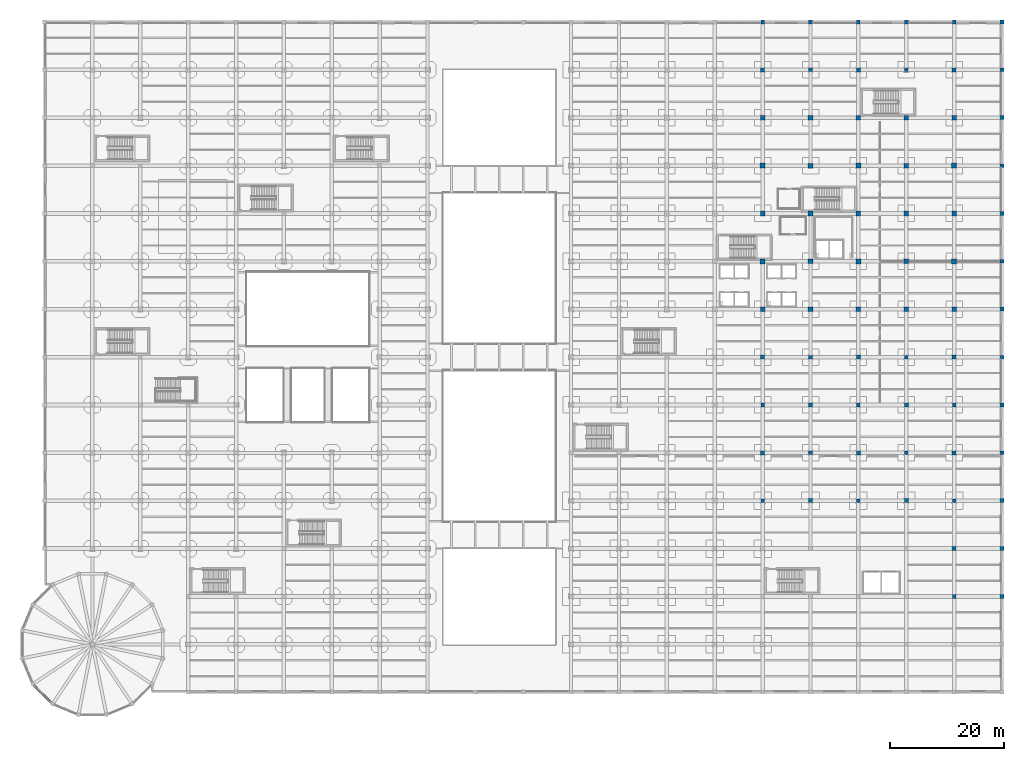
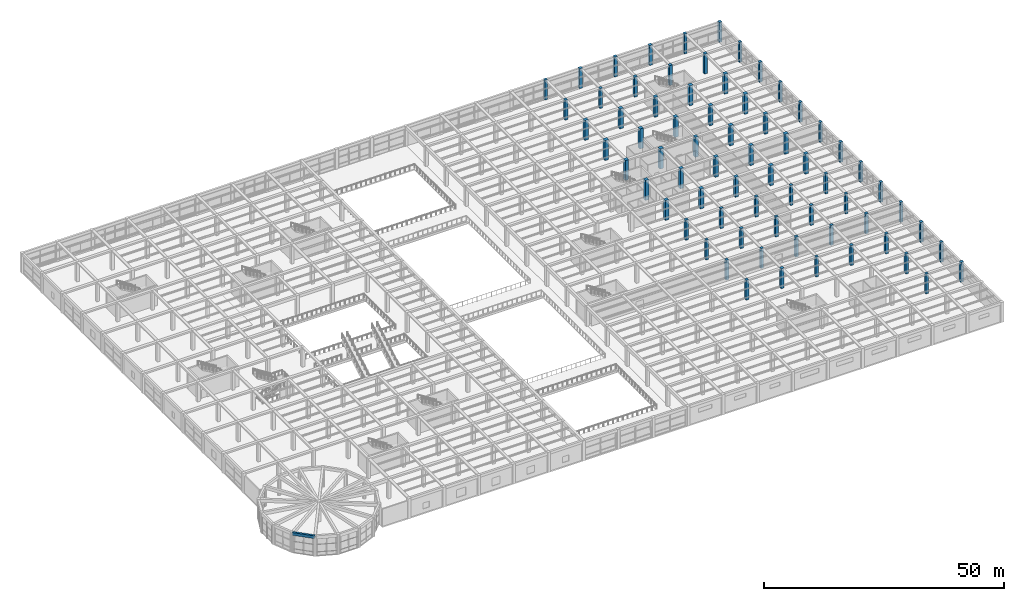
# One storey, part 2 of 95: 70 columns, 1 beam.
"""IFC4 building model written with IfcOpenShell, lengths in metres."""

from ifc_helpers import new_model, si_unit, direction, frame, origin, origin_2d, place, context, subcontext, project, spatial, rectangle, extrude, material, material_profile, profile_set, type_object, element, save


model = new_model("IFC4")

# Units and contexts
model_context = context("Model", 3, precision=1e-05, world=origin(), true_north=direction((0.0, 1.0)))
body_context = subcontext(model_context, "Body", "Model", "MODEL_VIEW")
ifc_project = project(units=[si_unit("LENGTHUNIT", "METRE"), si_unit("AREAUNIT", "SQUARE_METRE"), si_unit("VOLUMEUNIT", "CUBIC_METRE"), si_unit("PLANEANGLEUNIT", "RADIAN"), si_unit("MASSUNIT", "GRAM", prefix="KILO")], contexts=[model_context])

# Site, building, storey
site_placement = place(None, origin())
site = spatial("IfcSite", under=ifc_project, at=site_placement, CompositionType="ELEMENT")
building_placement = place(site_placement, origin())
building = spatial("IfcBuilding", under=site, at=building_placement, Name="Almacenes y Pasaje Nevantli", CompositionType="ELEMENT")
storey_placement = place(building_placement, frame((0.0, 0.0, 11.39990234375)))
storey = spatial("IfcBuildingStorey", under=building, at=storey_placement, Name="L03", CompositionType="ELEMENT", Elevation=11.39990234375)

# Columns
ifc_material_1 = material(Name="Concrete C45/55", Category="concrete")
ifc_material_profile_1 = material_profile(ifc_material_1, rectangle(XDim=0.64990234375, YDim=0.64990234375, at=origin_2d()), Name="RC-COL-650x650")
ifc_profile_set_1 = profile_set([ifc_material_profile_1], Name="Concrete C45/55")
column_type_1 = type_object("IfcColumnType", Name="COL-RC-650", PredefinedType="COLUMN", material=ifc_profile_set_1)
for number, where, z_axis, x_axis, name in (
    (1, (126.0, 33.60009765625, 0.0), (0.0, 0.0, 1.0), (1.0, 0.0, 0.0), "L03 Reinforced Concrete Column CL-07 #1469"),
    (2, (126.0, 50.39990234375, 0.0), (0.0, 0.0, 1.0), (1.0, 0.0, 0.0), "L03 Reinforced Concrete Column CL-07 #1471"),
    (3, (126.0, 117.60009765625, 0.0), (0.0, 0.0, 1.0), (1.0, 0.0, 0.0), "L03 Reinforced Concrete Column CL-07 #1479"),
    (4, (134.39990234375, 42.0, 0.0), (0.0, 0.0, 1.0), (1.0, 0.0, 0.0), "L03 Reinforced Concrete Column CL-07 #1485"),
    (5, (134.39990234375, 58.800048828125, 0.0), (0.0, 0.0, 1.0), (1.0, 0.0, 0.0), "L03 Reinforced Concrete Column CL-07 #1487"),
    (6, (134.39990234375, 109.199951171875, 0.0), (0.0, 0.0, 1.0), (1.0, 0.0, 0.0), "L03 Reinforced Concrete Column CL-07 #1493"),
    (7, (142.800048828125, 33.60009765625, 0.0), (0.0, 0.0, 1.0), (1.0, 0.0, 0.0), "L03 Reinforced Concrete Column CL-07 #1499"),
    (8, (142.800048828125, 50.39990234375, 0.0), (0.0, 0.0, 1.0), (1.0, 0.0, 0.0), "L03 Reinforced Concrete Column CL-07 #1501"),
    (9, (142.800048828125, 117.60009765625, 0.0), (0.0, 0.0, 1.0), (1.0, 0.0, 0.0), "L03 Reinforced Concrete Column CL-07 #1509"),
    (10, (151.199951171875, 42.0, 0.0), (0.0, 0.0, 1.0), (1.0, 0.0, 0.0), "L03 Reinforced Concrete Column CL-07 #1515"),
    (11, (151.199951171875, 58.800048828125, 0.0), (0.0, 0.0, 1.0), (1.0, 0.0, 0.0), "L03 Reinforced Concrete Column CL-07 #1517"),
    (12, (151.199951171875, 109.199951171875, 0.0), (0.0, 0.0, 1.0), (1.0, 0.0, 0.0), "L03 Reinforced Concrete Column CL-07 #1523"),
    (13, (159.60009765625, 16.800048828125, 0.0), (0.0, 0.0, 1.0), (1.0, 0.0, 0.0), "L03 Reinforced Concrete Column CL-07 #1527"),
    (14, (159.60009765625, 33.60009765625, 0.0), (0.0, 0.0, 1.0), (1.0, 0.0, 0.0), "L03 Reinforced Concrete Column CL-07 #1529"),
    (15, (159.60009765625, 50.39990234375, 0.0), (0.0, 0.0, 1.0), (1.0, 0.0, 0.0), "L03 Reinforced Concrete Column CL-07 #1531"),
    (16, (159.60009765625, 117.60009765625, 0.0), (0.0, 0.0, 1.0), (1.0, 0.0, 0.0), "L03 Reinforced Concrete Column CL-07 #1539"),
    (17, (168.0, 25.199951171875, 0.0), (0.0, 0.0, 1.0), (1.0, 0.0, 0.0), "L03 Reinforced Concrete Column CL-07 #1543"),
    (18, (168.0, 42.0, 0.0), (0.0, 0.0, 1.0), (1.0, 0.0, 0.0), "L03 Reinforced Concrete Column CL-07 #1545"),
    (19, (168.0, 58.800048828125, 0.0), (0.0, 0.0, 1.0), (1.0, 0.0, 0.0), "L03 Reinforced Concrete Column CL-07 #1547"),
    (20, (168.0, 75.60009765625, 0.0), (0.0, 0.0, 1.0), (1.0, 0.0, 0.0), "L03 Reinforced Concrete Column CL-07 #1549"),
    (21, (168.0, 92.39990234375, 0.0), (0.0, 0.0, 1.0), (1.0, 0.0, 0.0), "L03 Reinforced Concrete Column CL-07 #1551"),
    (22, (168.0, 109.199951171875, 0.0), (0.0, 0.0, 1.0), (1.0, 0.0, 0.0), "L03 Reinforced Concrete Column CL-07 #1553"),
):
    element("IfcColumn", number, at=place(storey_placement, frame(where, z_axis=z_axis, x_axis=x_axis)), inside=storey, type_object=column_type_1, Name=name, PredefinedType="COLUMN", context=body_context, shape_type="SweptSolid", body=[
        extrude(rectangle(XDim=0.64990234375, YDim=0.64990234375, at=origin_2d()), origin(), (0.0, 0.0, 1.0), 5.10009765625),
    ])
ifc_material_2 = material(Name="Concrete C45/55", Category="concrete")
ifc_material_profile_2 = material_profile(ifc_material_2, rectangle(XDim=0.699951171875, YDim=0.699951171875, at=origin_2d()), Name="RC-COL-700x700")
ifc_profile_set_2 = profile_set([ifc_material_profile_2], Name="Concrete C45/55")
column_type_2 = type_object("IfcColumnType", Name="COL-RC-700", PredefinedType="COLUMN", material=ifc_profile_set_2)
for number, where, z_axis, x_axis, name in (
    (23, (126.0, 42.0, 0.0), (0.0, 0.0, 1.0), (1.0, 0.0, 0.0), "L03 Reinforced Concrete Column CL-06 #1470"),
    (24, (126.0, 58.800048828125, 0.0), (0.0, 0.0, 1.0), (1.0, 0.0, 0.0), "L03 Reinforced Concrete Column CL-06 #1472"),
    (25, (126.0, 109.199951171875, 0.0), (0.0, 0.0, 1.0), (1.0, 0.0, 0.0), "L03 Reinforced Concrete Column CL-06 #1478"),
    (26, (134.39990234375, 33.60009765625, 0.0), (0.0, 0.0, 1.0), (1.0, 0.0, 0.0), "L03 Reinforced Concrete Column CL-06 #1484"),
    (27, (134.39990234375, 50.39990234375, 0.0), (0.0, 0.0, 1.0), (1.0, 0.0, 0.0), "L03 Reinforced Concrete Column CL-06 #1486"),
    (28, (134.39990234375, 117.60009765625, 0.0), (0.0, 0.0, 1.0), (1.0, 0.0, 0.0), "L03 Reinforced Concrete Column CL-06 #1494"),
    (29, (142.800048828125, 42.0, 0.0), (0.0, 0.0, 1.0), (1.0, 0.0, 0.0), "L03 Reinforced Concrete Column CL-06 #1500"),
    (30, (142.800048828125, 58.800048828125, 0.0), (0.0, 0.0, 1.0), (1.0, 0.0, 0.0), "L03 Reinforced Concrete Column CL-06 #1502"),
    (31, (142.800048828125, 109.199951171875, 0.0), (0.0, 0.0, 1.0), (1.0, 0.0, 0.0), "L03 Reinforced Concrete Column CL-06 #1508"),
    (32, (151.199951171875, 33.60009765625, 0.0), (0.0, 0.0, 1.0), (1.0, 0.0, 0.0), "L03 Reinforced Concrete Column CL-06 #1514"),
    (33, (151.199951171875, 50.39990234375, 0.0), (0.0, 0.0, 1.0), (1.0, 0.0, 0.0), "L03 Reinforced Concrete Column CL-06 #1516"),
    (34, (151.199951171875, 117.60009765625, 0.0), (0.0, 0.0, 1.0), (1.0, 0.0, 0.0), "L03 Reinforced Concrete Column CL-06 #1524"),
    (35, (159.60009765625, 25.199951171875, 0.0), (0.0, 0.0, 1.0), (1.0, 0.0, 0.0), "L03 Reinforced Concrete Column CL-06 #1528"),
    (36, (159.60009765625, 42.0, 0.0), (0.0, 0.0, 1.0), (1.0, 0.0, 0.0), "L03 Reinforced Concrete Column CL-06 #1530"),
    (37, (159.60009765625, 58.800048828125, 0.0), (0.0, 0.0, 1.0), (1.0, 0.0, 0.0), "L03 Reinforced Concrete Column CL-06 #1532"),
    (38, (159.60009765625, 109.199951171875, 0.0), (0.0, 0.0, 1.0), (1.0, 0.0, 0.0), "L03 Reinforced Concrete Column CL-06 #1538"),
    (39, (168.0, 16.800048828125, 0.0), (0.0, 0.0, 1.0), (1.0, 0.0, 0.0), "L03 Reinforced Concrete Column CL-06 #1542"),
    (40, (168.0, 33.60009765625, 0.0), (0.0, 0.0, 1.0), (1.0, 0.0, 0.0), "L03 Reinforced Concrete Column CL-06 #1544"),
    (41, (168.0, 50.39990234375, 0.0), (0.0, 0.0, 1.0), (1.0, 0.0, 0.0), "L03 Reinforced Concrete Column CL-06 #1546"),
    (42, (168.0, 67.199951171875, 0.0), (0.0, 0.0, 1.0), (1.0, 0.0, 0.0), "L03 Reinforced Concrete Column CL-06 #1548"),
    (43, (168.0, 84.0, 0.0), (0.0, 0.0, 1.0), (1.0, 0.0, 0.0), "L03 Reinforced Concrete Column CL-06 #1550"),
    (44, (168.0, 100.800048828125, 0.0), (0.0, 0.0, 1.0), (1.0, 0.0, 0.0), "L03 Reinforced Concrete Column CL-06 #1552"),
    (45, (168.0, 117.60009765625, 0.0), (0.0, 0.0, 1.0), (1.0, 0.0, 0.0), "L03 Reinforced Concrete Column CL-06 #1554"),
):
    element("IfcColumn", number, at=place(storey_placement, frame(where, z_axis=z_axis, x_axis=x_axis)), inside=storey, type_object=column_type_2, Name=name, PredefinedType="COLUMN", context=body_context, shape_type="SweptSolid", body=[
        extrude(rectangle(XDim=0.699951171875, YDim=0.699951171875, at=origin_2d()), origin(), (0.0, 0.0, 1.0), 5.10009765625),
    ])
ifc_material_3 = material(Name="Concrete C45/55", Category="concrete")
ifc_material_profile_3 = material_profile(ifc_material_3, rectangle(XDim=0.800048828125, YDim=0.800048828125, at=origin_2d()), Name="RC-COL-800x800")
ifc_profile_set_3 = profile_set([ifc_material_profile_3], Name="Concrete C45/55")
column_type_3 = type_object("IfcColumnType", Name="COL-RC-800", PredefinedType="COLUMN", material=ifc_profile_set_3)
for number, where, z_axis, x_axis, name in (
    (46, (126.0, 67.199951171875, 0.0), (0.0, 0.0, 1.0), (1.0, 0.0, 0.0), "L03 Reinforced Concrete Column CL-04 #1473"),
    (47, (126.0, 84.0, 0.0), (0.0, 0.0, 1.0), (1.0, 0.0, 0.0), "L03 Reinforced Concrete Column CL-04 #1475"),
    (48, (126.0, 100.800048828125, 0.0), (0.0, 0.0, 1.0), (1.0, 0.0, 0.0), "L03 Reinforced Concrete Column CL-04 #1477"),
    (49, (134.39990234375, 75.60009765625, 0.0), (0.0, 0.0, 1.0), (1.0, 0.0, 0.0), "L03 Reinforced Concrete Column CL-04 #1489"),
    (50, (134.39990234375, 92.39990234375, 0.0), (0.0, 0.0, 1.0), (1.0, 0.0, 0.0), "L03 Reinforced Concrete Column CL-04 #1491"),
    (51, (142.800048828125, 67.199951171875, 0.0), (0.0, 0.0, 1.0), (1.0, 0.0, 0.0), "L03 Reinforced Concrete Column CL-04 #1503"),
    (52, (142.800048828125, 84.0, 0.0), (0.0, 0.0, 1.0), (1.0, 0.0, 0.0), "L03 Reinforced Concrete Column CL-04 #1505"),
    (53, (142.800048828125, 100.800048828125, 0.0), (0.0, 0.0, 1.0), (1.0, 0.0, 0.0), "L03 Reinforced Concrete Column CL-04 #1507"),
    (54, (151.199951171875, 75.60009765625, 0.0), (0.0, 0.0, 1.0), (1.0, 0.0, 0.0), "L03 Reinforced Concrete Column CL-04 #1519"),
    (55, (151.199951171875, 92.39990234375, 0.0), (0.0, 0.0, 1.0), (1.0, 0.0, 0.0), "L03 Reinforced Concrete Column CL-04 #1521"),
    (56, (159.60009765625, 67.199951171875, 0.0), (0.0, 0.0, 1.0), (1.0, 0.0, 0.0), "L03 Reinforced Concrete Column CL-04 #1533"),
    (57, (159.60009765625, 84.0, 0.0), (0.0, 0.0, 1.0), (1.0, 0.0, 0.0), "L03 Reinforced Concrete Column CL-04 #1535"),
    (58, (159.60009765625, 100.800048828125, 0.0), (0.0, 0.0, 1.0), (1.0, 0.0, 0.0), "L03 Reinforced Concrete Column CL-04 #1537"),
):
    element("IfcColumn", number, at=place(storey_placement, frame(where, z_axis=z_axis, x_axis=x_axis)), inside=storey, type_object=column_type_3, Name=name, PredefinedType="COLUMN", context=body_context, shape_type="SweptSolid", body=[
        extrude(rectangle(XDim=0.800048828125, YDim=0.800048828125, at=origin_2d()), origin(), (0.0, 0.0, 1.0), 5.10009765625),
    ])
ifc_material_4 = material(Name="Concrete C45/55", Category="concrete")
ifc_material_profile_4 = material_profile(ifc_material_4, rectangle(XDim=0.85009765625, YDim=0.85009765625, at=origin_2d()), Name="RC-COL-850x850")
ifc_profile_set_4 = profile_set([ifc_material_profile_4], Name="Concrete C45/55")
column_type_4 = type_object("IfcColumnType", Name="COL-RC-850", PredefinedType="COLUMN", material=ifc_profile_set_4)
for number, where, z_axis, x_axis, name in (
    (59, (126.0, 75.60009765625, 0.0), (0.0, 0.0, 1.0), (1.0, 0.0, 0.0), "L03 Reinforced Concrete Column CL-03 #1474"),
    (60, (126.0, 92.39990234375, 0.0), (0.0, 0.0, 1.0), (1.0, 0.0, 0.0), "L03 Reinforced Concrete Column CL-03 #1476"),
    (61, (134.39990234375, 67.199951171875, 0.0), (0.0, 0.0, 1.0), (1.0, 0.0, 0.0), "L03 Reinforced Concrete Column CL-03 #1488"),
    (62, (134.39990234375, 84.0, 0.0), (0.0, 0.0, 1.0), (1.0, 0.0, 0.0), "L03 Reinforced Concrete Column CL-03 #1490"),
    (63, (134.39990234375, 100.800048828125, 0.0), (0.0, 0.0, 1.0), (1.0, 0.0, 0.0), "L03 Reinforced Concrete Column CL-03 #1492"),
    (64, (142.800048828125, 75.60009765625, 0.0), (0.0, 0.0, 1.0), (1.0, 0.0, 0.0), "L03 Reinforced Concrete Column CL-03 #1504"),
    (65, (142.800048828125, 92.39990234375, 0.0), (0.0, 0.0, 1.0), (1.0, 0.0, 0.0), "L03 Reinforced Concrete Column CL-03 #1506"),
    (66, (151.199951171875, 67.199951171875, 0.0), (0.0, 0.0, 1.0), (1.0, 0.0, 0.0), "L03 Reinforced Concrete Column CL-03 #1518"),
    (67, (151.199951171875, 84.0, 0.0), (0.0, 0.0, 1.0), (1.0, 0.0, 0.0), "L03 Reinforced Concrete Column CL-03 #1520"),
    (68, (151.199951171875, 100.800048828125, 0.0), (0.0, 0.0, 1.0), (1.0, 0.0, 0.0), "L03 Reinforced Concrete Column CL-03 #1522"),
    (69, (159.60009765625, 75.60009765625, 0.0), (0.0, 0.0, 1.0), (1.0, 0.0, 0.0), "L03 Reinforced Concrete Column CL-03 #1534"),
    (70, (159.60009765625, 92.39990234375, 0.0), (0.0, 0.0, 1.0), (1.0, 0.0, 0.0), "L03 Reinforced Concrete Column CL-03 #1536"),
):
    element("IfcColumn", number, at=place(storey_placement, frame(where, z_axis=z_axis, x_axis=x_axis)), inside=storey, type_object=column_type_4, Name=name, PredefinedType="COLUMN", context=body_context, shape_type="SweptSolid", body=[
        extrude(rectangle(XDim=0.85009765625, YDim=0.85009765625, at=origin_2d()), origin(), (0.0, 0.0, 1.0), 5.10009765625),
    ])

# Beam
ifc_material_5 = material(Name="Concrete C35/45", Category="concrete")
ifc_material_profile_5 = material_profile(ifc_material_5, rectangle(XDim=0.449951171875, YDim=0.699951171875, at=origin_2d()), Name="RC-BM-450x700")
ifc_profile_set_5 = profile_set([ifc_material_profile_5], Name="Concrete C35/45")
beam_type = type_object("IfcBeamType", Name="BM-RC-450x700", PredefinedType="SPANDREL", material=ifc_profile_set_5)
beam_placement = place(storey_placement, frame((-2.076416015625, 1.39990234375, 4.75), z_axis=(0.707106781187, -0.707106781187, 0.0), x_axis=(0.707106781187, 0.707106781187, 0.0)))
element("IfcBeam", 71, at=beam_placement, inside=storey, type_object=beam_type, Name="L03 Rotunda Ring Spandrel Beam #10", PredefinedType="SPANDREL", context=body_context, shape_type="SweptSolid", body=[
    extrude(rectangle(XDim=0.449951171875, YDim=0.699951171875, at=origin_2d()), origin(), (0.0, 0.0, 1.0), 4.916259765625),
])

save(model, "model.ifc")
